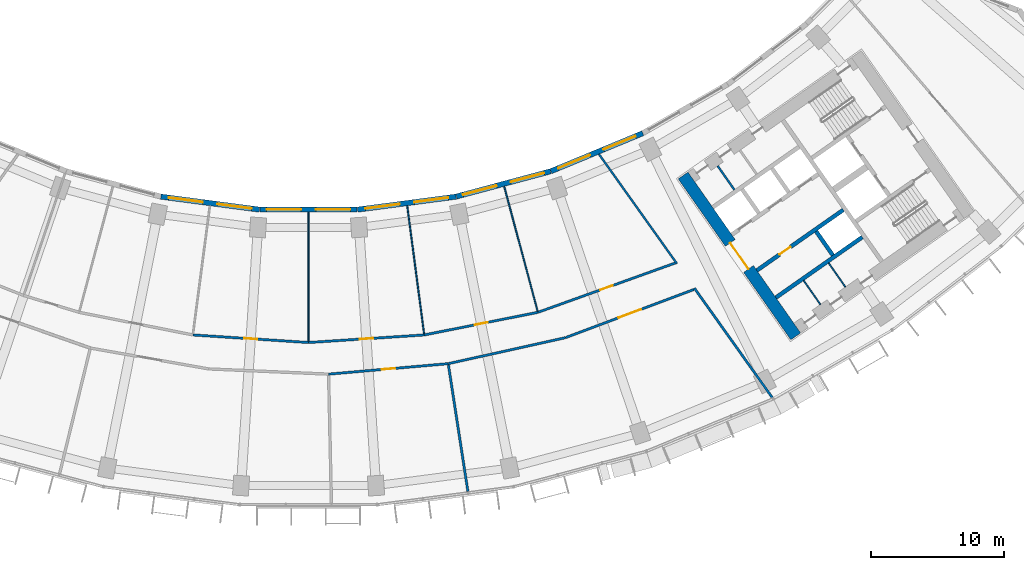
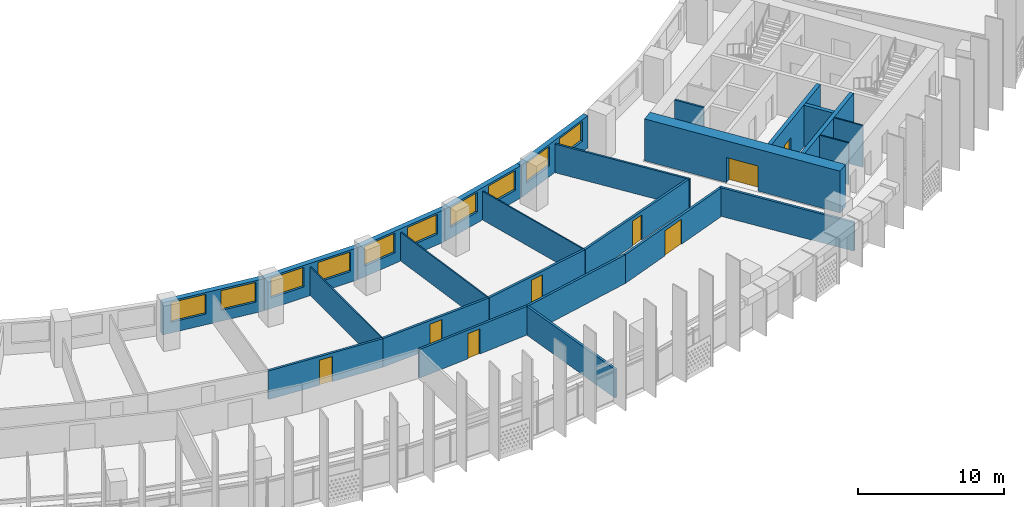
# One storey, part 6 of 29: 25 walls, 10 windows, 8 doors, 18 openings.
"""IFC4 building model written with IfcOpenShell, lengths in metres."""

import ifcopenshell
import ifcopenshell.guid

model = None  # the IFC model being written
_history = None  # IfcOwnerHistory: only IFC2X3 demands one
_inside = {}  # id of a spatial element -> (the spatial element, [elements in it])
_under = {}  # id of a project, library or spatial element -> (it, [spatial elements below it])
_declared = {}  # id of a project -> (the project, [libraries it declares])
_typed = {}  # id of a type object -> (the type object, [elements of that type])
_made_of = {}  # id of a material, layer set ... -> (it, [elements and type objects made of it])


def new_model(schema):
    """Start an empty IFC model of exactly this schema.

    Asked for "IFC4X3", IfcOpenShell would pick the latest addendum, in which some entities
    have other attributes; the version numbers below select the first issue.
    IFC2X3 requires an IfcOwnerHistory on every rooted entity: one is made here for all.
    """
    global model, _history
    if schema == "IFC4X3":
        model = ifcopenshell.file(schema_version=(4, 3, 0, 0))
    else:
        model = ifcopenshell.file(schema=schema)
    _inside.clear()
    _under.clear()
    _declared.clear()
    _typed.clear()
    _made_of.clear()
    _history = None
    if model.schema == "IFC2X3":
        org = make("IfcOrganization", Name="unknown")
        user = make(
            "IfcPersonAndOrganization",
            ThePerson=make("IfcPerson", FamilyName="unknown"),
            TheOrganization=org,
        )
        app = make(
            "IfcApplication",
            ApplicationDeveloper=org,
            Version="unknown",
            ApplicationFullName="unknown",
            ApplicationIdentifier="unknown",
        )
        _history = make(
            "IfcOwnerHistory",
            OwningUser=user,
            OwningApplication=app,
            ChangeAction="ADDED",
            CreationDate=0,
        )
    return model


def make(cls, **values):
    """One entity of the class cls with the attributes given. An attribute that is None is left unset."""
    return model.create_entity(
        cls, **{name: value for name, value in values.items() if value is not None}
    )


def rooted(cls, **values):
    """An entity with a GlobalId (a new one), such as an element, a storey or a relation."""
    return make(cls, GlobalId=ifcopenshell.guid.new(), OwnerHistory=_history, **values)


def si_unit(unit_type, name, prefix=None):
    """IfcSIUnit, for example si_unit("LENGTHUNIT", "METRE", prefix="MILLI")."""
    return make("IfcSIUnit", UnitType=unit_type, Prefix=prefix, Name=name)


def assignment(units):
    """IfcUnitAssignment: the units of a project."""
    return None if units is None else make("IfcUnitAssignment", Units=units)


def point(xyz):
    """IfcCartesianPoint."""
    return None if xyz is None else make("IfcCartesianPoint", Coordinates=xyz)


def direction(xyz):
    """IfcDirection."""
    return None if xyz is None else make("IfcDirection", DirectionRatios=xyz)


def frame(location, z_axis=None, x_axis=None):
    """IfcAxis2Placement3D, a coordinate frame: its origin and axes. An axis left out is left unset."""
    return make(
        "IfcAxis2Placement3D",
        Location=point(location),
        Axis=direction(z_axis),
        RefDirection=direction(x_axis),
    )


def frame_2d(location, x_axis=None):
    """IfcAxis2Placement2D, a coordinate frame in the plane: its origin and x axis."""
    return make(
        "IfcAxis2Placement2D", Location=point(location), RefDirection=direction(x_axis)
    )


def origin():
    """The frame at (0, 0, 0) with its axes left unset."""
    return frame((0.0, 0.0, 0.0))


def place(relative_to, where):
    """IfcLocalPlacement: puts the frame where relative to a parent placement (None: the world)."""
    return make(
        "IfcLocalPlacement", PlacementRelTo=relative_to, RelativePlacement=where
    )


def context(
    kind, dimensions, precision=None, world=None, true_north=None, identifier=None
):
    """IfcGeometricRepresentationContext, for example the 3D "Model" context."""
    return make(
        "IfcGeometricRepresentationContext",
        ContextIdentifier=identifier,
        ContextType=kind,
        CoordinateSpaceDimension=dimensions,
        Precision=precision,
        WorldCoordinateSystem=world,
        TrueNorth=true_north,
    )


def subcontext(parent, identifier, kind, view, scale=None):
    """IfcGeometricRepresentationSubContext, for example "Body" below "Model"."""
    return make(
        "IfcGeometricRepresentationSubContext",
        ContextIdentifier=identifier,
        ContextType=kind,
        ParentContext=parent,
        TargetScale=scale,
        TargetView=view,
    )


def project(units=None, contexts=None):
    """IfcProject with its units and contexts."""
    return rooted(
        "IfcProject",
        Name="project",
        RepresentationContexts=contexts,
        UnitsInContext=assignment(units),
    )


def spatial(cls, under=None, at=None, **own):
    """A site, building, storey or space (cls), placed at a placement, below another one or the project."""
    s = rooted(cls, ObjectPlacement=at, **own)
    if under is not None:
        _under.setdefault(under.id(), (under, []))[1].append(s)
    return s


def profile(cls, at=None, kind="AREA", **sizes):
    """A parametric profile (cls). Its sizes go by their IFC names, for example OverallWidth=200.0."""
    return make(cls, ProfileType=kind, Position=at, **sizes)


def rectangle(**sizes):
    """IfcRectangleProfileDef."""
    return profile("IfcRectangleProfileDef", **sizes)


def extrude(swept, where, along, depth):
    """IfcExtrudedAreaSolid: the profile swept, set in the frame where, extruded along a direction by depth."""
    return make(
        "IfcExtrudedAreaSolid",
        SweptArea=swept,
        Position=where,
        ExtrudedDirection=direction(along),
        Depth=depth,
    )


def shape(context_of_items, identifier, shape_type, items):
    """IfcShapeRepresentation: the items that make up one representation, for example the "Body"."""
    return make(
        "IfcShapeRepresentation",
        ContextOfItems=context_of_items,
        RepresentationIdentifier=identifier,
        RepresentationType=shape_type,
        Items=items,
    )


def material(Name=None, Category=None):
    """IfcMaterial."""
    return make("IfcMaterial", Name=Name, Category=Category)


def layer(
    of_material, thickness, ventilated=None, Name=None, Category=None, Priority=None
):
    """IfcMaterialLayer: one layer of a wall or slab, of a material (None: an air gap)."""
    return make(
        "IfcMaterialLayer",
        Material=of_material,
        LayerThickness=thickness,
        IsVentilated=ventilated,
        Name=Name,
        Category=Category,
        Priority=Priority,
    )


def layer_set(layers, Name=None):
    """IfcMaterialLayerSet."""
    return make("IfcMaterialLayerSet", MaterialLayers=layers, LayerSetName=Name)


def made_of(thing, what):
    """Note that an element or type object is made of a material, layer set ...; save() writes the relation."""
    if what is not None:
        _made_of.setdefault(what.id(), (what, []))[1].append(thing)
    return thing


def type_object(cls, material=None, **own):
    """A type object (cls), such as IfcWallType, which elements share."""
    return made_of(rooted(cls, **own), material)


def element(
    cls,
    number,
    at=None,
    inside=None,
    cuts=None,
    type_object=None,
    material=None,
    context=None,
    identifier="Body",
    shape_type=None,
    held_by="IfcProductDefinitionShape",
    body=None,
    shapes=None,
    **own,
):
    """One element of the class cls, such as IfcWall. Its Tag is "e" and its number.

    at: its placement. inside: the storey or other place that contains it. cuts: it is an
    opening in that element (IfcRelVoidsElement). A single representation is given by context,
    identifier, shape_type and body (its items); several are given by shapes. held_by: the class
    of the entity that holds the representations. save() writes the other relations.
    """
    e = rooted(cls, Tag="e%d" % number, ObjectPlacement=at, **own)
    if body is not None:
        shapes = [shape(context, identifier, shape_type, body)]
    if shapes is not None:
        e.Representation = make(held_by, Representations=shapes)
    if inside is not None:
        _inside.setdefault(inside.id(), (inside, []))[1].append(e)
    if cuts is not None:
        rooted(
            "IfcRelVoidsElement", RelatingBuildingElement=cuts, RelatedOpeningElement=e
        )
    if type_object is not None:
        _typed.setdefault(type_object.id(), (type_object, []))[1].append(e)
    return made_of(e, material)


def fill(opening, filler):
    """IfcRelFillsElement: the door or window that sits in an opening."""
    return rooted(
        "IfcRelFillsElement",
        RelatingOpeningElement=opening,
        RelatedBuildingElement=filler,
    )


def aggregate(whole, parts):
    """IfcRelAggregates: a whole, such as a stair, and the parts it consists of."""
    return rooted("IfcRelAggregates", RelatingObject=whole, RelatedObjects=parts)


def save(model, path):
    """Write the relations noted so far, then the file.

    IfcRelAggregates (storeys below a building ...), IfcRelContainedInSpatialStructure (elements
    in a storey), IfcRelDefinesByType, IfcRelAssociatesMaterial and IfcRelDeclares: one each for
    every whole, place, type object, material and project.
    """
    for whole, parts in _under.values():
        aggregate(whole, parts)
    for where, things in _inside.values():
        rooted(
            "IfcRelContainedInSpatialStructure",
            RelatedElements=things,
            RelatingStructure=where,
        )
    for kind, things in _typed.values():
        rooted("IfcRelDefinesByType", RelatedObjects=things, RelatingType=kind)
    for what, things in _made_of.values():
        rooted("IfcRelAssociatesMaterial", RelatedObjects=things, RelatingMaterial=what)
    for by, libraries in _declared.values():
        rooted("IfcRelDeclares", RelatingContext=by, RelatedDefinitions=libraries)
    model.write(path)


model = new_model("IFC4")

# Units and contexts
model_context = context("Model", 3, precision=1e-05, world=origin(), true_north=direction((0.0, 1.0)))
body_context = subcontext(model_context, "Body", "Model", "MODEL_VIEW")
ifc_project = project(units=[si_unit("LENGTHUNIT", "METRE"), si_unit("AREAUNIT", "SQUARE_METRE"), si_unit("VOLUMEUNIT", "CUBIC_METRE"), si_unit("PLANEANGLEUNIT", "RADIAN"), si_unit("MASSUNIT", "GRAM", prefix="KILO")], contexts=[model_context])

# Site, building, storey
site_placement = place(None, origin())
site = spatial("IfcSite", under=ifc_project, at=site_placement, CompositionType="ELEMENT")
building_placement = place(site_placement, origin())
building = spatial("IfcBuilding", under=site, at=building_placement, Name="Qamariyya Broadcast Tower", CompositionType="ELEMENT")
storey_placement = place(building_placement, frame((0.0, 0.0, 132.89990234375)))
storey = spatial("IfcBuildingStorey", under=building, at=storey_placement, Name="L30", CompositionType="ELEMENT", Elevation=132.89990234375)

# Wall, opening, door
ifc_material_1 = material(Name="Concrete C70/85", Category="concrete")
ifc_layer_1 = layer(ifc_material_1, 0.89990234375)
ifc_layer_set_1 = layer_set([ifc_layer_1], Name="Core wall 900 mm Concrete C70/85")
wall_type_1 = type_object("IfcWallType", Name="Core wall 900 mm Concrete C70/85", PredefinedType="SHEAR", material=ifc_layer_set_1)
wall_1_placement = place(storey_placement, frame((36.716796875, -66.3369140625, 0.0), z_axis=(0.0, 0.0, 1.0), x_axis=(-0.573577477574, 0.819151315216, 0.0)))
wall_1 = element("IfcWall", 1, at=wall_1_placement, inside=storey, type_object=wall_type_1, Name="k-E-L30-WA", PredefinedType="SHEAR", context=body_context, shape_type="SweptSolid", body=[
    extrude(rectangle(XDim=14.800048828125, YDim=0.89990234375, at=frame_2d((7.39990234375, 0.0))), origin(), (0.0, 0.0, 1.0), 3.5),
])
opening_1_placement = place(wall_1_placement, frame((6.199951171875, 0.0, 0.0)))
opening_1 = element("IfcOpeningElement", 2, at=opening_1_placement, cuts=wall_1, Name="Opening KD3-E1", PredefinedType="OPENING", context=body_context, shape_type="SweptSolid", body=[
    extrude(rectangle(XDim=2.39990234375, YDim=2.10009765625, at=frame_2d((1.199951171875, 1.050048828125))), frame((0.0, 0.4599609375, 0.0), z_axis=(0.0, -1.0, 0.0), x_axis=(1.0, 0.0, 0.0)), (0.0, 0.0, 1.0), 0.919921875),
])
ifc_material_2 = material(Name="Steel fire-resisting door leaf", Category="steel")
door_type_1 = type_object("IfcDoorType", Name="Lift lobby door KD3", OperationType="DOUBLE_DOOR_SINGLE_SWING", PredefinedType="DOOR", material=ifc_material_2)
door_1_placement = place(opening_1_placement, origin())
door_1 = element("IfcDoor", 3, at=door_1_placement, inside=storey, type_object=door_type_1, Name="k-E-L30-WA-D1", OperationType="DOUBLE_DOOR_SINGLE_SWING", OverallHeight=2.10009765625, OverallWidth=2.39990234375, PredefinedType="DOOR", context=body_context, shape_type="SweptSolid", body=[
    extrude(rectangle(XDim=2.39990234375, YDim=2.10009765625, at=frame_2d((1.199951171875, 1.050048828125))), frame((0.0, 0.02490234375, 0.0), z_axis=(0.0, -1.0, 0.0), x_axis=(1.0, 0.0, 0.0)), (0.0, 0.0, 1.0), 0.050048828125),
])
fill(opening_1, door_1)

# Walls
ifc_material_3 = material(Name="Gypsum board partition")
ifc_layer_2 = layer(ifc_material_3, 0.14990234375)
ifc_layer_set_2 = layer_set([ifc_layer_2], Name="Corridor partition 150 EI 60")
wall_type_2 = type_object("IfcWallType", Name="Corridor partition 150 EI 60", PredefinedType="PARTITIONING", material=ifc_layer_set_2)
wall_2_placement = place(storey_placement, frame((21.8837890625, -52.59765625, 0.0), z_axis=(0.0, 0.0, 1.0), x_axis=(0.580023139251, -0.814599998732, 0.0)))
element("IfcWall", 4, at=wall_2_placement, inside=storey, type_object=wall_type_2, Name="Partition L30-032", PredefinedType="PARTITIONING", context=body_context, shape_type="SweptSolid", body=[
    extrude(rectangle(XDim=10.135986328125, YDim=0.14990234375, at=frame_2d((5.06787109375, 0.0))), origin(), (0.0, 0.0, 1.0), 2.400146484375),
])
ifc_material_4 = material(Name="Gypsum board partition on steel studs", Category="steel")
ifc_layer_3 = layer(ifc_material_4, 0.14990234375)
ifc_layer_set_3 = layer_set([ifc_layer_3], Name="Gypsum board partition 150 mm")
wall_type_3 = type_object("IfcWallType", Name="Gypsum board partition 150 mm", PredefinedType="PARTITIONING", material=ifc_layer_set_3)
wall_3_placement = place(storey_placement, frame((32.0947265625, -55.290283203125, 0.0), z_axis=(0.0, 0.0, 1.0), x_axis=(-0.573559170999, 0.819164133348, 0.0)))
element("IfcWall", 5, at=wall_3_placement, inside=storey, type_object=wall_type_3, Name="k-E-L30-NP210", PredefinedType="PARTITIONING", context=body_context, shape_type="SweptSolid", body=[
    extrude(rectangle(XDim=2.19970703125, YDim=0.14990234375, at=frame_2d((1.099853515625, 0.0))), origin(), (0.0, 0.0, 1.0), 3.5),
])

# Wall, opening, door
ifc_material_5 = material(Name="Concrete C60/75", Category="concrete")
ifc_layer_4 = layer(ifc_material_5, 0.300048828125)
ifc_layer_set_4 = layer_set([ifc_layer_4], Name="Lift shaft wall 300 mm Concrete C60/75")
wall_type_4 = type_object("IfcWallType", Name="Lift shaft wall 300 mm Concrete C60/75", PredefinedType="SOLIDWALL", material=ifc_layer_set_4)
wall_4_placement = place(storey_placement, frame((33.787353515625, -61.368896484375, 0.0), z_axis=(0.0, 0.0, 1.0), x_axis=(0.819152564888, 0.573575692858, 0.0)))
wall_4 = element("IfcWall", 6, at=wall_4_placement, inside=storey, type_object=wall_type_4, Name="k-E-L30-SF0", PredefinedType="SOLIDWALL", context=body_context, shape_type="SweptSolid", body=[
    extrude(rectangle(XDim=7.9501953125, YDim=0.300048828125, at=frame_2d((3.97509765625, 0.0))), origin(), (0.0, 0.0, 1.0), 3.5),
])
opening_2_placement = place(wall_4_placement, frame((2.10009765625, 0.0, 0.0)))
opening_2 = element("IfcOpeningElement", 7, at=opening_2_placement, cuts=wall_4, Name="Opening KD6-E1", PredefinedType="OPENING", context=body_context, shape_type="SweptSolid", body=[
    extrude(rectangle(XDim=1.0, YDim=2.10009765625, at=frame_2d((0.5, 1.050048828125))), frame((0.0, 0.159912109375, 0.0), z_axis=(0.0, -1.0, 0.0), x_axis=(1.0, 0.0, 0.0)), (0.0, 0.0, 1.0), 0.320068359375),
])
door_type_2 = type_object("IfcDoorType", Name="Core room door KD6", OperationType="SINGLE_SWING_LEFT", PredefinedType="DOOR", material=ifc_material_2)
door_2_placement = place(opening_2_placement, origin())
door_2 = element("IfcDoor", 8, at=door_2_placement, inside=storey, type_object=door_type_2, Name="k-E-L30-SF0-D5", OperationType="SINGLE_SWING_LEFT", OverallHeight=2.10009765625, OverallWidth=1.0, PredefinedType="DOOR", context=body_context, shape_type="SweptSolid", body=[
    extrude(rectangle(XDim=1.0, YDim=2.10009765625, at=frame_2d((0.5, 1.050048828125))), frame((0.0, 0.02490234375, 0.0), z_axis=(0.0, -1.0, 0.0), x_axis=(1.0, 0.0, 0.0)), (0.0, 0.0, 1.0), 0.050048828125),
])
fill(opening_2, door_2)

# Walls
wall_5_placement = place(storey_placement, frame((35.22119140625, -63.41650390625, 0.0), z_axis=(0.0, 0.0, 1.0), x_axis=(0.819166993208, 0.573555086491, 0.0)))
element("IfcWall", 9, at=wall_5_placement, inside=storey, type_object=wall_type_4, Name="k-E-L30-SB0", PredefinedType="SOLIDWALL", context=body_context, shape_type="SweptSolid", body=[
    extrude(rectangle(XDim=7.9501953125, YDim=0.300048828125, at=frame_2d((3.97509765625, 0.0))), origin(), (0.0, 0.0, 1.0), 3.5),
])
wall_6_placement = place(storey_placement, frame((38.255859375, -58.423095703125, 0.0), z_axis=(0.0, 0.0, 1.0), x_axis=(0.573633636671, -0.819111989218, 0.0)))
element("IfcWall", 10, at=wall_6_placement, inside=storey, type_object=wall_type_4, Name="k-E-L30-SD1", PredefinedType="SOLIDWALL", context=body_context, shape_type="SweptSolid", body=[
    extrude(rectangle(XDim=2.199951171875, YDim=0.300048828125, at=frame_2d((1.10009765625, 0.0))), origin(), (0.0, 0.0, 1.0), 3.5),
])
ifc_layer_5 = layer(ifc_material_3, 0.10009765625)
ifc_layer_set_5 = layer_set([ifc_layer_5], Name="Partition 100")
wall_type_5 = type_object("IfcWallType", Name="Partition 100", PredefinedType="PARTITIONING", material=ifc_layer_set_5)
for number, where, z_axis, x_axis, name in (
    (11, (0.0, -56.978515625, 0.0), (0.0, 0.0, 1.0), (0.0, -1.0, 0.0), "Partition L30-022"),
    (12, (7.437255859375, -56.4912109375, 0.0), (0.0, 0.0, 1.0), (0.130531739513, -0.991444131043, 0.0), "Partition L30-025"),
    (13, (14.7470703125, -55.037109375, 0.0), (0.0, 0.0, 1.0), (0.258828880572, -0.965923190829, 0.0), "Partition L30-029"),
):
    element("IfcWall", number, at=place(storey_placement, frame(where, z_axis=z_axis, x_axis=x_axis)), inside=storey, type_object=wall_type_5, Name=name, PredefinedType="PARTITIONING", context=body_context, shape_type="SweptSolid", body=[
        extrude(rectangle(XDim=9.7314453125, YDim=0.10009765625, at=frame_2d((4.86572265625, 0.0))), origin(), (0.0, 0.0, 1.0), 2.400146484375),
    ])
ifc_material_6 = material(Name="Fire-rated gypsum shaft liner on steel studs", Category="steel")
ifc_layer_6 = layer(ifc_material_6, 0.10009765625)
ifc_layer_set_6 = layer_set([ifc_layer_6], Name="Riser wall 100 mm")
wall_type_6 = type_object("IfcWallType", Name="Riser wall 100 mm", PredefinedType="PLUMBINGWALL", material=ifc_layer_set_6)
wall_7_placement = place(storey_placement, frame((37.314208984375, -62.13427734375, 0.0), z_axis=(0.0, 0.0, 1.0), x_axis=(0.573633636671, -0.819111989218, 0.0)))
element("IfcWall", 14, at=wall_7_placement, inside=storey, type_object=wall_type_6, Name="k-E-L30-SP245", PredefinedType="PLUMBINGWALL", context=body_context, shape_type="SweptSolid", body=[
    extrude(rectangle(XDim=2.199951171875, YDim=0.10009765625, at=frame_2d((1.10009765625, 0.0))), origin(), (0.0, 0.0, 1.0), 3.5),
])
wall_8_placement = place(storey_placement, frame((39.1982421875, -60.81494140625, 0.0), z_axis=(0.0, 0.0, 1.0), x_axis=(0.573581496053, -0.819148501424, 0.0)))
element("IfcWall", 15, at=wall_8_placement, inside=storey, type_object=wall_type_6, Name="k-E-L30-SP475", PredefinedType="PLUMBINGWALL", context=body_context, shape_type="SweptSolid", body=[
    extrude(rectangle(XDim=2.2001953125, YDim=0.10009765625, at=frame_2d((1.10009765625, 0.0))), origin(), (0.0, 0.0, 1.0), 3.5),
])

# Wall, opening, door
ifc_layer_7 = layer(ifc_material_3, 0.179931640625)
ifc_layer_set_7 = layer_set([ifc_layer_7], Name="Studio acoustic partition 180 EI 60")
wall_type_7 = type_object("IfcWallType", Name="Studio acoustic partition 180 EI 60", PredefinedType="PARTITIONING", material=ifc_layer_set_7)
wall_9_placement = place(storey_placement, frame((-8.71923828125, -66.228515625, 0.0), z_axis=(0.0, 0.0, 1.0), x_axis=(0.997858593599, -0.065408158359, 0.0)))
wall_9 = element("IfcWall", 16, at=wall_9_placement, inside=storey, type_object=wall_type_7, Name="Partition L30-018", PredefinedType="PARTITIONING", context=body_context, shape_type="SweptSolid", body=[
    extrude(rectangle(XDim=8.738037109375, YDim=0.179931640625, at=frame_2d((4.369140625, 0.0))), origin(), (0.0, 0.0, 1.0), 2.400146484375),
])
opening_3_placement = place(wall_9_placement, frame((3.868896484375, 0.0, 0.0)))
opening_3 = element("IfcOpeningElement", 17, at=opening_3_placement, cuts=wall_9, Name="Opening L30-D08", PredefinedType="OPENING", context=body_context, shape_type="SweptSolid", body=[
    extrude(rectangle(XDim=1.0, YDim=2.10009765625, at=frame_2d((0.5, 1.050048828125))), frame((0.0, 0.099853515625, 0.0), z_axis=(0.0, -1.0, 0.0), x_axis=(1.0, 0.0, 0.0)), (0.0, 0.0, 1.0), 0.199951171875),
])
ifc_material_7 = material(Name="Timber fire door leaf", Category="wood")
door_type_3 = type_object("IfcDoorType", Name="Fire door 1000 x 2100 FD60", OperationType="NOTDEFINED", PredefinedType="DOOR", material=ifc_material_7)
door_3_placement = place(opening_3_placement, origin())
door_3 = element("IfcDoor", 18, at=door_3_placement, inside=storey, type_object=door_type_3, Name="Door L30-D08", OperationType="SINGLE_SWING_RIGHT", OverallHeight=2.10009765625, OverallWidth=1.0, PredefinedType="DOOR", context=body_context, shape_type="SweptSolid", body=[
    extrude(rectangle(XDim=1.0, YDim=2.10009765625, at=frame_2d((0.5, 1.050048828125))), frame((0.0, 0.02490234375, 0.0), z_axis=(0.0, -1.0, 0.0), x_axis=(1.0, 0.0, 0.0)), (0.0, 0.0, 1.0), 0.050048828125),
])
fill(opening_3, door_3)

wall_10_placement = place(storey_placement, frame((0.0, -66.800048828125, 0.0), z_axis=(0.0, 0.0, 1.0), x_axis=(0.997858593599, 0.065408158359, 0.0)))
wall_10 = element("IfcWall", 19, at=wall_10_placement, inside=storey, type_object=wall_type_7, Name="Partition L30-021", PredefinedType="PARTITIONING", context=body_context, shape_type="SweptSolid", body=[
    extrude(rectangle(XDim=8.738037109375, YDim=0.179931640625, at=frame_2d((4.369140625, 0.0))), origin(), (0.0, 0.0, 1.0), 2.400146484375),
])
opening_4_placement = place(wall_10_placement, frame((3.868896484375, 0.0, 0.0)))
opening_4 = element("IfcOpeningElement", 20, at=opening_4_placement, cuts=wall_10, Name="Opening L30-D09", PredefinedType="OPENING", context=body_context, shape_type="SweptSolid", body=[
    extrude(rectangle(XDim=1.0, YDim=2.10009765625, at=frame_2d((0.5, 1.050048828125))), frame((0.0, 0.099853515625, 0.0), z_axis=(0.0, -1.0, 0.0), x_axis=(1.0, 0.0, 0.0)), (0.0, 0.0, 1.0), 0.199951171875),
])
door_4_placement = place(opening_4_placement, origin())
door_4 = element("IfcDoor", 21, at=door_4_placement, inside=storey, type_object=door_type_3, Name="Door L30-D09", OperationType="SINGLE_SWING_RIGHT", OverallHeight=2.10009765625, OverallWidth=1.0, PredefinedType="DOOR", context=body_context, shape_type="SweptSolid", body=[
    extrude(rectangle(XDim=1.0, YDim=2.10009765625, at=frame_2d((0.5, 1.050048828125))), frame((0.0, 0.02490234375, 0.0), z_axis=(0.0, -1.0, 0.0), x_axis=(1.0, 0.0, 0.0)), (0.0, 0.0, 1.0), 0.050048828125),
])
fill(opening_4, door_4)

wall_11_placement = place(storey_placement, frame((10.52880859375, -68.394287109375, 0.0), z_axis=(0.0, 0.0, 1.0), x_axis=(-0.996190935779, -0.087198735491, 0.0)))
wall_11 = element("IfcWall", 22, at=wall_11_placement, inside=storey, type_object=wall_type_7, Name="Partition L30-023", PredefinedType="PARTITIONING", context=body_context, shape_type="SweptSolid", body=[
    extrude(rectangle(XDim=9.0517578125, YDim=0.179931640625, at=frame_2d((4.52587890625, 0.0))), origin(), (0.0, 0.0, 1.0), 2.400146484375),
])
opening_5_placement = place(wall_11_placement, frame((4.02587890625, 0.0, 0.0)))
opening_5 = element("IfcOpeningElement", 23, at=opening_5_placement, cuts=wall_11, Name="Opening L30-D03", PredefinedType="OPENING", context=body_context, shape_type="SweptSolid", body=[
    extrude(rectangle(XDim=1.0, YDim=2.10009765625, at=frame_2d((0.5, 1.050048828125))), frame((0.0, 0.099853515625, 0.0), z_axis=(0.0, -1.0, 0.0), x_axis=(1.0, 0.0, 0.0)), (0.0, 0.0, 1.0), 0.199951171875),
])
door_5_placement = place(opening_5_placement, origin())
door_5 = element("IfcDoor", 24, at=door_5_placement, inside=storey, type_object=door_type_3, Name="Door L30-D03", OperationType="SINGLE_SWING_RIGHT", OverallHeight=2.10009765625, OverallWidth=1.0, PredefinedType="DOOR", context=body_context, shape_type="SweptSolid", body=[
    extrude(rectangle(XDim=1.0, YDim=2.10009765625, at=frame_2d((0.5, 1.050048828125))), frame((0.0, 0.02490234375, 0.0), z_axis=(0.0, -1.0, 0.0), x_axis=(1.0, 0.0, 0.0)), (0.0, 0.0, 1.0), 0.050048828125),
])
fill(opening_5, door_5)

wall_12_placement = place(storey_placement, frame((8.71923828125, -66.228515625, 0.0), z_axis=(0.0, 0.0, 1.0), x_axis=(0.980786466832, 0.195084357342, 0.0)))
wall_12 = element("IfcWall", 25, at=wall_12_placement, inside=storey, type_object=wall_type_7, Name="Partition L30-026", PredefinedType="PARTITIONING", context=body_context, shape_type="SweptSolid", body=[
    extrude(rectangle(XDim=8.73779296875, YDim=0.179931640625, at=frame_2d((4.368896484375, 0.0))), origin(), (0.0, 0.0, 1.0), 2.400146484375),
])
opening_6_placement = place(wall_12_placement, frame((3.868896484375, 0.0, 0.0)))
opening_6 = element("IfcOpeningElement", 26, at=opening_6_placement, cuts=wall_12, Name="Opening L30-D10", PredefinedType="OPENING", context=body_context, shape_type="SweptSolid", body=[
    extrude(rectangle(XDim=1.0, YDim=2.10009765625, at=frame_2d((0.5, 1.050048828125))), frame((0.0, 0.099853515625, 0.0), z_axis=(0.0, -1.0, 0.0), x_axis=(1.0, 0.0, 0.0)), (0.0, 0.0, 1.0), 0.199951171875),
])
door_6_placement = place(opening_6_placement, origin())
door_6 = element("IfcDoor", 27, at=door_6_placement, inside=storey, type_object=door_type_3, Name="Door L30-D10", OperationType="SINGLE_SWING_RIGHT", OverallHeight=2.10009765625, OverallWidth=1.0, PredefinedType="DOOR", context=body_context, shape_type="SweptSolid", body=[
    extrude(rectangle(XDim=1.0, YDim=2.10009765625, at=frame_2d((0.5, 1.050048828125))), frame((0.0, 0.02490234375, 0.0), z_axis=(0.0, -1.0, 0.0), x_axis=(1.0, 0.0, 0.0)), (0.0, 0.0, 1.0), 0.050048828125),
])
fill(opening_6, door_6)

# Walls
wall_13_placement = place(storey_placement, frame((10.52880859375, -68.394287109375, 0.0), z_axis=(0.0, 0.0, 1.0), x_axis=(0.976293034631, 0.216453021533, 0.0)))
element("IfcWall", 28, at=wall_13_placement, inside=storey, type_object=wall_type_7, Name="Partition L30-027", PredefinedType="PARTITIONING", context=body_context, shape_type="SweptSolid", body=[
    extrude(rectangle(XDim=9.04248046875, YDim=0.179931640625, at=frame_2d((4.521240234375, 0.0))), origin(), (0.0, 0.0, 1.0), 2.400146484375),
])
wall_14_placement = place(storey_placement, frame((12.01220703125, -78.030029296875, 0.0), z_axis=(0.0, 0.0, 1.0), x_axis=(-0.152159747281, 0.988355913276, 0.0)))
element("IfcWall", 29, at=wall_14_placement, inside=storey, type_object=wall_type_7, Name="Partition L30-028", PredefinedType="PARTITIONING", context=body_context, shape_type="SweptSolid", body=[
    extrude(rectangle(XDim=9.6591796875, YDim=0.179931640625, at=frame_2d((4.82958984375, 0.0))), origin(), (0.0, 0.0, 1.0), 2.400146484375),
])

# Wall, opening, door
wall_15_placement = place(storey_placement, frame((17.2890625, -64.52392578125, 0.0), z_axis=(0.0, 0.0, 1.0), x_axis=(0.941150861554, 0.337986768669, 0.0)))
wall_15 = element("IfcWall", 30, at=wall_15_placement, inside=storey, type_object=wall_type_7, Name="Partition L30-030", PredefinedType="PARTITIONING", context=body_context, shape_type="SweptSolid", body=[
    extrude(rectangle(XDim=10.998291015625, YDim=0.179931640625, at=frame_2d((5.4990234375, 0.0))), origin(), (0.0, 0.0, 1.0), 2.400146484375),
])
opening_7_placement = place(wall_15_placement, frame((4.9990234375, 0.0, 0.0)))
opening_7 = element("IfcOpeningElement", 31, at=opening_7_placement, cuts=wall_15, Name="Opening L30-D11", PredefinedType="OPENING", context=body_context, shape_type="SweptSolid", body=[
    extrude(rectangle(XDim=1.0, YDim=2.10009765625, at=frame_2d((0.5, 1.050048828125))), frame((0.0, 0.099853515625, 0.0), z_axis=(0.0, -1.0, 0.0), x_axis=(1.0, 0.0, 0.0)), (0.0, 0.0, 1.0), 0.199951171875),
])
door_7_placement = place(opening_7_placement, origin())
door_7 = element("IfcDoor", 32, at=door_7_placement, inside=storey, type_object=door_type_3, Name="Door L30-D11", OperationType="SINGLE_SWING_RIGHT", OverallHeight=2.10009765625, OverallWidth=1.0, PredefinedType="DOOR", context=body_context, shape_type="SweptSolid", body=[
    extrude(rectangle(XDim=1.0, YDim=2.10009765625, at=frame_2d((0.5, 1.050048828125))), frame((0.0, 0.02490234375, 0.0), z_axis=(0.0, -1.0, 0.0), x_axis=(1.0, 0.0, 0.0)), (0.0, 0.0, 1.0), 0.050048828125),
])
fill(opening_7, door_7)

wall_16_placement = place(storey_placement, frame((29.043212890625, -62.802734375, 0.0), z_axis=(0.0, 0.0, 1.0), x_axis=(-0.936226153734, -0.351398049318, 0.0)))
wall_16 = element("IfcWall", 33, at=wall_16_placement, inside=storey, type_object=wall_type_7, Name="Partition L30-031", PredefinedType="PARTITIONING", context=body_context, shape_type="SweptSolid", body=[
    extrude(rectangle(XDim=10.3271484375, YDim=0.179931640625, at=frame_2d((5.16357421875, 0.0))), origin(), (0.0, 0.0, 1.0), 2.400146484375),
])
opening_8_placement = place(wall_16_placement, frame((4.263427734375, 0.0, 0.0)))
opening_8 = element("IfcOpeningElement", 34, at=opening_8_placement, cuts=wall_16, Name="Opening L30-D04", PredefinedType="OPENING", context=body_context, shape_type="SweptSolid", body=[
    extrude(rectangle(XDim=1.800048828125, YDim=2.10009765625, at=frame_2d((0.89990234375, 1.050048828125))), frame((0.0, 0.099853515625, 0.0), z_axis=(0.0, -1.0, 0.0), x_axis=(1.0, 0.0, 0.0)), (0.0, 0.0, 1.0), 0.199951171875),
])
door_type_4 = type_object("IfcDoorType", Name="Double fire door 1800 x 2100 FD60", OperationType="NOTDEFINED", PredefinedType="DOOR", material=ifc_material_7)
door_8_placement = place(opening_8_placement, origin())
door_8 = element("IfcDoor", 35, at=door_8_placement, inside=storey, type_object=door_type_4, Name="Door L30-D04", OperationType="DOUBLE_DOOR_SINGLE_SWING", OverallHeight=2.10009765625, OverallWidth=1.800048828125, PredefinedType="DOOR", context=body_context, shape_type="SweptSolid", body=[
    extrude(rectangle(XDim=1.800048828125, YDim=2.10009765625, at=frame_2d((0.89990234375, 1.050048828125))), frame((0.0, 0.02490234375, 0.0), z_axis=(0.0, -1.0, 0.0), x_axis=(1.0, 0.0, 0.0)), (0.0, 0.0, 1.0), 0.050048828125),
])
fill(opening_8, door_8)

# Wall
wall_17_placement = place(storey_placement, frame((29.075439453125, -62.697998046875, 0.0), z_axis=(0.0, 0.0, 1.0), x_axis=(0.58002146853, -0.814601188339, 0.0)))
element("IfcWall", 36, at=wall_17_placement, inside=storey, type_object=wall_type_7, Name="Partition L30-033", PredefinedType="PARTITIONING", context=body_context, shape_type="SweptSolid", body=[
    extrude(rectangle(XDim=10.14111328125, YDim=0.179931640625, at=frame_2d((5.070556640625, 0.0))), origin(), (0.0, 0.0, 1.0), 2.400146484375),
])

# Wall, openings, windows
ifc_material_8 = material(Name="Terracotta", Category="masonry")
ifc_layer_8 = layer(ifc_material_8, 0.39990234375)
ifc_layer_set_8 = layer_set([ifc_layer_8], Name="Terracotta clad wall 400")
wall_type_8 = type_object("IfcWallType", Name="Terracotta clad wall 400", PredefinedType="SOLIDWALL", material=ifc_layer_set_8)
wall_18_placement = place(storey_placement, frame((11.12548828125, -55.803955078125, 0.0), z_axis=(0.0, 0.0, 1.0), x_axis=(-0.991444533306, -0.130528684121, 0.0)))
wall_18 = element("IfcWall", 37, at=wall_18_placement, inside=storey, type_object=wall_type_8, Name="e-wl-L30-in100", PredefinedType="SOLIDWALL", context=body_context, shape_type="SweptSolid", body=[
    extrude(rectangle(XDim=7.492919921875, YDim=0.39990234375, at=frame_2d((3.74658203125, 0.0))), origin(), (0.0, 0.0, 1.0), 2.7001953125),
])
opening_9_placement = place(wall_18_placement, frame((4.300537109375, 0.0, 0.89990234375)))
opening_9 = element("IfcOpeningElement", 38, at=opening_9_placement, cuts=wall_18, Name="Opening W1", PredefinedType="OPENING", context=body_context, shape_type="SweptSolid", body=[
    extrude(rectangle(XDim=2.60009765625, YDim=1.64990234375, at=frame_2d((1.300048828125, 0.824951171875))), frame((0.0, 0.2099609375, 0.0), z_axis=(0.0, -1.0, 0.0), x_axis=(1.0, 0.0, 0.0)), (0.0, 0.0, 1.0), 0.419921875),
])
opening_10_placement = place(wall_18_placement, frame((0.59228515625, 0.0, 0.89990234375)))
opening_10 = element("IfcOpeningElement", 39, at=opening_10_placement, cuts=wall_18, Name="Opening W1", PredefinedType="OPENING", context=body_context, shape_type="SweptSolid", body=[
    extrude(rectangle(XDim=2.60009765625, YDim=1.64990234375, at=frame_2d((1.300048828125, 0.824951171875))), frame((0.0, 0.2099609375, 0.0), z_axis=(0.0, -1.0, 0.0), x_axis=(1.0, 0.0, 0.0)), (0.0, 0.0, 1.0), 0.419921875),
])
ifc_material_9 = material(Name="Clear low-e double glazed unit in aluminium frame", Category="aluminium")
window_type = type_object("IfcWindowType", Name="Ribbon window 2600 x 1650", PartitioningType="SINGLE_PANEL", PredefinedType="WINDOW", material=ifc_material_9)
window_1_placement = place(opening_9_placement, origin())
window_1 = element("IfcWindow", 40, at=window_1_placement, inside=storey, type_object=window_type, Name="e-w-L30-in10-0", OverallHeight=1.64990234375, OverallWidth=2.60009765625, PartitioningType="SINGLE_PANEL", PredefinedType="WINDOW", context=body_context, shape_type="SweptSolid", body=[
    extrude(rectangle(XDim=2.60009765625, YDim=1.64990234375, at=frame_2d((1.300048828125, 0.824951171875))), frame((0.0, 0.030029296875, 0.0), z_axis=(0.0, -1.0, 0.0), x_axis=(1.0, 0.0, 0.0)), (0.0, 0.0, 1.0), 0.06005859375),
])
fill(opening_9, window_1)
window_2_placement = place(opening_10_placement, origin())
window_2 = element("IfcWindow", 41, at=window_2_placement, inside=storey, type_object=window_type, Name="e-w-L30-in10-1", OverallHeight=1.64990234375, OverallWidth=2.60009765625, PartitioningType="SINGLE_PANEL", PredefinedType="WINDOW", context=body_context, shape_type="SweptSolid", body=[
    extrude(rectangle(XDim=2.60009765625, YDim=1.64990234375, at=frame_2d((1.300048828125, 0.824951171875))), frame((0.0, 0.030029296875, 0.0), z_axis=(0.0, -1.0, 0.0), x_axis=(1.0, 0.0, 0.0)), (0.0, 0.0, 1.0), 0.06005859375),
])
fill(opening_10, window_2)

wall_19_placement = place(storey_placement, frame((18.240966796875, -53.893798828125, 0.0), z_axis=(0.0, 0.0, 1.0), x_axis=(-0.965924597867, -0.258823629594, 0.0)))
wall_19 = element("IfcWall", 42, at=wall_19_placement, inside=storey, type_object=wall_type_8, Name="e-wl-L30-in110", PredefinedType="SOLIDWALL", context=body_context, shape_type="SweptSolid", body=[
    extrude(rectangle(XDim=7.341552734375, YDim=0.39990234375, at=frame_2d((3.6708984375, 0.0))), origin(), (0.0, 0.0, 1.0), 2.7001953125),
])
opening_11_placement = place(wall_19_placement, frame((4.224853515625, 0.0, 0.89990234375)))
opening_11 = element("IfcOpeningElement", 43, at=opening_11_placement, cuts=wall_19, Name="Opening W1", PredefinedType="OPENING", context=body_context, shape_type="SweptSolid", body=[
    extrude(rectangle(XDim=2.60009765625, YDim=1.64990234375, at=frame_2d((1.300048828125, 0.824951171875))), frame((0.0, 0.2099609375, 0.0), z_axis=(0.0, -1.0, 0.0), x_axis=(1.0, 0.0, 0.0)), (0.0, 0.0, 1.0), 0.419921875),
])
opening_12_placement = place(wall_19_placement, frame((0.5166015625, 0.0, 0.89990234375)))
opening_12 = element("IfcOpeningElement", 44, at=opening_12_placement, cuts=wall_19, Name="Opening W1", PredefinedType="OPENING", context=body_context, shape_type="SweptSolid", body=[
    extrude(rectangle(XDim=2.60009765625, YDim=1.64990234375, at=frame_2d((1.300048828125, 0.824951171875))), frame((0.0, 0.2099609375, 0.0), z_axis=(0.0, -1.0, 0.0), x_axis=(1.0, 0.0, 0.0)), (0.0, 0.0, 1.0), 0.419921875),
])
window_3_placement = place(opening_11_placement, origin())
window_3 = element("IfcWindow", 45, at=window_3_placement, inside=storey, type_object=window_type, Name="e-w-L30-in11-0", OverallHeight=1.64990234375, OverallWidth=2.60009765625, PartitioningType="SINGLE_PANEL", PredefinedType="WINDOW", context=body_context, shape_type="SweptSolid", body=[
    extrude(rectangle(XDim=2.60009765625, YDim=1.64990234375, at=frame_2d((1.300048828125, 0.824951171875))), frame((0.0, 0.030029296875, 0.0), z_axis=(0.0, -1.0, 0.0), x_axis=(1.0, 0.0, 0.0)), (0.0, 0.0, 1.0), 0.06005859375),
])
fill(opening_11, window_3)
window_4_placement = place(opening_12_placement, origin())
window_4 = element("IfcWindow", 46, at=window_4_placement, inside=storey, type_object=window_type, Name="e-w-L30-in11-1", OverallHeight=1.64990234375, OverallWidth=2.60009765625, PartitioningType="SINGLE_PANEL", PredefinedType="WINDOW", context=body_context, shape_type="SweptSolid", body=[
    extrude(rectangle(XDim=2.60009765625, YDim=1.64990234375, at=frame_2d((1.300048828125, 0.824951171875))), frame((0.0, 0.030029296875, 0.0), z_axis=(0.0, -1.0, 0.0), x_axis=(1.0, 0.0, 0.0)), (0.0, 0.0, 1.0), 0.06005859375),
])
fill(opening_12, window_4)

wall_20_placement = place(storey_placement, frame((25.189453125, -51.02294921875, 0.0), z_axis=(0.0, 0.0, 1.0), x_axis=(-0.923879826967, -0.382682721486, 0.0)))
wall_20 = element("IfcWall", 47, at=wall_20_placement, inside=storey, type_object=wall_type_8, Name="e-wl-L30-in120", PredefinedType="SOLIDWALL", context=body_context, shape_type="SweptSolid", body=[
    extrude(rectangle(XDim=7.492919921875, YDim=0.39990234375, at=frame_2d((3.74658203125, 0.0))), origin(), (0.0, 0.0, 1.0), 2.7001953125),
])
opening_13_placement = place(wall_20_placement, frame((4.300537109375, 0.0, 0.89990234375)))
opening_13 = element("IfcOpeningElement", 48, at=opening_13_placement, cuts=wall_20, Name="Opening W1", PredefinedType="OPENING", context=body_context, shape_type="SweptSolid", body=[
    extrude(rectangle(XDim=2.60009765625, YDim=1.64990234375, at=frame_2d((1.300048828125, 0.824951171875))), frame((0.0, 0.2099609375, 0.0), z_axis=(0.0, -1.0, 0.0), x_axis=(1.0, 0.0, 0.0)), (0.0, 0.0, 1.0), 0.419921875),
])
opening_14_placement = place(wall_20_placement, frame((0.59228515625, 0.0, 0.89990234375)))
opening_14 = element("IfcOpeningElement", 49, at=opening_14_placement, cuts=wall_20, Name="Opening W1", PredefinedType="OPENING", context=body_context, shape_type="SweptSolid", body=[
    extrude(rectangle(XDim=2.60009765625, YDim=1.64990234375, at=frame_2d((1.300048828125, 0.824951171875))), frame((0.0, 0.2099609375, 0.0), z_axis=(0.0, -1.0, 0.0), x_axis=(1.0, 0.0, 0.0)), (0.0, 0.0, 1.0), 0.419921875),
])
window_5_placement = place(opening_13_placement, origin())
window_5 = element("IfcWindow", 50, at=window_5_placement, inside=storey, type_object=window_type, Name="e-w-L30-in12-0", OverallHeight=1.64990234375, OverallWidth=2.60009765625, PartitioningType="SINGLE_PANEL", PredefinedType="WINDOW", context=body_context, shape_type="SweptSolid", body=[
    extrude(rectangle(XDim=2.60009765625, YDim=1.64990234375, at=frame_2d((1.300048828125, 0.824951171875))), frame((0.0, 0.030029296875, 0.0), z_axis=(0.0, -1.0, 0.0), x_axis=(1.0, 0.0, 0.0)), (0.0, 0.0, 1.0), 0.06005859375),
])
fill(opening_13, window_5)
window_6_placement = place(opening_14_placement, origin())
window_6 = element("IfcWindow", 51, at=window_6_placement, inside=storey, type_object=window_type, Name="e-w-L30-in12-1", OverallHeight=1.64990234375, OverallWidth=2.60009765625, PartitioningType="SINGLE_PANEL", PredefinedType="WINDOW", context=body_context, shape_type="SweptSolid", body=[
    extrude(rectangle(XDim=2.60009765625, YDim=1.64990234375, at=frame_2d((1.300048828125, 0.824951171875))), frame((0.0, 0.030029296875, 0.0), z_axis=(0.0, -1.0, 0.0), x_axis=(1.0, 0.0, 0.0)), (0.0, 0.0, 1.0), 0.06005859375),
])
fill(opening_14, window_6)

wall_21_placement = place(storey_placement, frame((-3.69677734375, -56.781982421875, 0.0), z_axis=(0.0, 0.0, 1.0), x_axis=(-0.991444533306, 0.130528684121, 0.0)))
wall_21 = element("IfcWall", 52, at=wall_21_placement, inside=storey, type_object=wall_type_8, Name="e-wl-L30-in80", PredefinedType="SOLIDWALL", context=body_context, shape_type="SweptSolid", body=[
    extrude(rectangle(XDim=7.492919921875, YDim=0.39990234375, at=frame_2d((3.74658203125, 0.0))), origin(), (0.0, 0.0, 1.0), 2.7001953125),
])
opening_15_placement = place(wall_21_placement, frame((4.300537109375, 0.0, 0.89990234375)))
opening_15 = element("IfcOpeningElement", 53, at=opening_15_placement, cuts=wall_21, Name="Opening W1", PredefinedType="OPENING", context=body_context, shape_type="SweptSolid", body=[
    extrude(rectangle(XDim=2.60009765625, YDim=1.64990234375, at=frame_2d((1.300048828125, 0.824951171875))), frame((0.0, 0.2099609375, 0.0), z_axis=(0.0, -1.0, 0.0), x_axis=(1.0, 0.0, 0.0)), (0.0, 0.0, 1.0), 0.419921875),
])
opening_16_placement = place(wall_21_placement, frame((0.59228515625, 0.0, 0.89990234375)))
opening_16 = element("IfcOpeningElement", 54, at=opening_16_placement, cuts=wall_21, Name="Opening W1", PredefinedType="OPENING", context=body_context, shape_type="SweptSolid", body=[
    extrude(rectangle(XDim=2.60009765625, YDim=1.64990234375, at=frame_2d((1.300048828125, 0.824951171875))), frame((0.0, 0.2099609375, 0.0), z_axis=(0.0, -1.0, 0.0), x_axis=(1.0, 0.0, 0.0)), (0.0, 0.0, 1.0), 0.419921875),
])
window_7_placement = place(opening_15_placement, origin())
window_7 = element("IfcWindow", 55, at=window_7_placement, inside=storey, type_object=window_type, Name="e-w-L30-in08-0", OverallHeight=1.64990234375, OverallWidth=2.60009765625, PartitioningType="SINGLE_PANEL", PredefinedType="WINDOW", context=body_context, shape_type="SweptSolid", body=[
    extrude(rectangle(XDim=2.60009765625, YDim=1.64990234375, at=frame_2d((1.300048828125, 0.824951171875))), frame((0.0, 0.030029296875, 0.0), z_axis=(0.0, -1.0, 0.0), x_axis=(1.0, 0.0, 0.0)), (0.0, 0.0, 1.0), 0.06005859375),
])
fill(opening_15, window_7)
window_8_placement = place(opening_16_placement, origin())
window_8 = element("IfcWindow", 56, at=window_8_placement, inside=storey, type_object=window_type, Name="e-w-L30-in08-1", OverallHeight=1.64990234375, OverallWidth=2.60009765625, PartitioningType="SINGLE_PANEL", PredefinedType="WINDOW", context=body_context, shape_type="SweptSolid", body=[
    extrude(rectangle(XDim=2.60009765625, YDim=1.64990234375, at=frame_2d((1.300048828125, 0.824951171875))), frame((0.0, 0.030029296875, 0.0), z_axis=(0.0, -1.0, 0.0), x_axis=(1.0, 0.0, 0.0)), (0.0, 0.0, 1.0), 0.06005859375),
])
fill(opening_16, window_8)

wall_22_placement = place(storey_placement, frame((3.670654296875, -56.778564453125, 0.0), z_axis=(0.0, 0.0, 1.0), x_axis=(-1.0, 0.0, 0.0)))
wall_22 = element("IfcWall", 57, at=wall_22_placement, inside=storey, type_object=wall_type_8, Name="e-wl-L30-in90", PredefinedType="SOLIDWALL", context=body_context, shape_type="SweptSolid", body=[
    extrude(rectangle(XDim=7.34130859375, YDim=0.39990234375, at=frame_2d((3.670654296875, 0.0))), origin(), (0.0, 0.0, 1.0), 2.7001953125),
])
opening_17_placement = place(wall_22_placement, frame((4.224853515625, 0.0, 0.89990234375)))
opening_17 = element("IfcOpeningElement", 58, at=opening_17_placement, cuts=wall_22, Name="Opening W1", PredefinedType="OPENING", context=body_context, shape_type="SweptSolid", body=[
    extrude(rectangle(XDim=2.60009765625, YDim=1.64990234375, at=frame_2d((1.300048828125, 0.824951171875))), frame((0.0, 0.2099609375, 0.0), z_axis=(0.0, -1.0, 0.0), x_axis=(1.0, 0.0, 0.0)), (0.0, 0.0, 1.0), 0.419921875),
])
opening_18_placement = place(wall_22_placement, frame((0.5166015625, 0.0, 0.89990234375)))
opening_18 = element("IfcOpeningElement", 59, at=opening_18_placement, cuts=wall_22, Name="Opening W1", PredefinedType="OPENING", context=body_context, shape_type="SweptSolid", body=[
    extrude(rectangle(XDim=2.60009765625, YDim=1.64990234375, at=frame_2d((1.300048828125, 0.824951171875))), frame((0.0, 0.2099609375, 0.0), z_axis=(0.0, -1.0, 0.0), x_axis=(1.0, 0.0, 0.0)), (0.0, 0.0, 1.0), 0.419921875),
])
window_9_placement = place(opening_17_placement, origin())
window_9 = element("IfcWindow", 60, at=window_9_placement, inside=storey, type_object=window_type, Name="e-w-L30-in09-0", OverallHeight=1.64990234375, OverallWidth=2.60009765625, PartitioningType="SINGLE_PANEL", PredefinedType="WINDOW", context=body_context, shape_type="SweptSolid", body=[
    extrude(rectangle(XDim=2.60009765625, YDim=1.64990234375, at=frame_2d((1.300048828125, 0.824951171875))), frame((0.0, 0.030029296875, 0.0), z_axis=(0.0, -1.0, 0.0), x_axis=(1.0, 0.0, 0.0)), (0.0, 0.0, 1.0), 0.06005859375),
])
fill(opening_17, window_9)
window_10_placement = place(opening_18_placement, origin())
window_10 = element("IfcWindow", 61, at=window_10_placement, inside=storey, type_object=window_type, Name="e-w-L30-in09-1", OverallHeight=1.64990234375, OverallWidth=2.60009765625, PartitioningType="SINGLE_PANEL", PredefinedType="WINDOW", context=body_context, shape_type="SweptSolid", body=[
    extrude(rectangle(XDim=2.60009765625, YDim=1.64990234375, at=frame_2d((1.300048828125, 0.824951171875))), frame((0.0, 0.030029296875, 0.0), z_axis=(0.0, -1.0, 0.0), x_axis=(1.0, 0.0, 0.0)), (0.0, 0.0, 1.0), 0.06005859375),
])
fill(opening_18, window_10)

save(model, "model.ifc")
